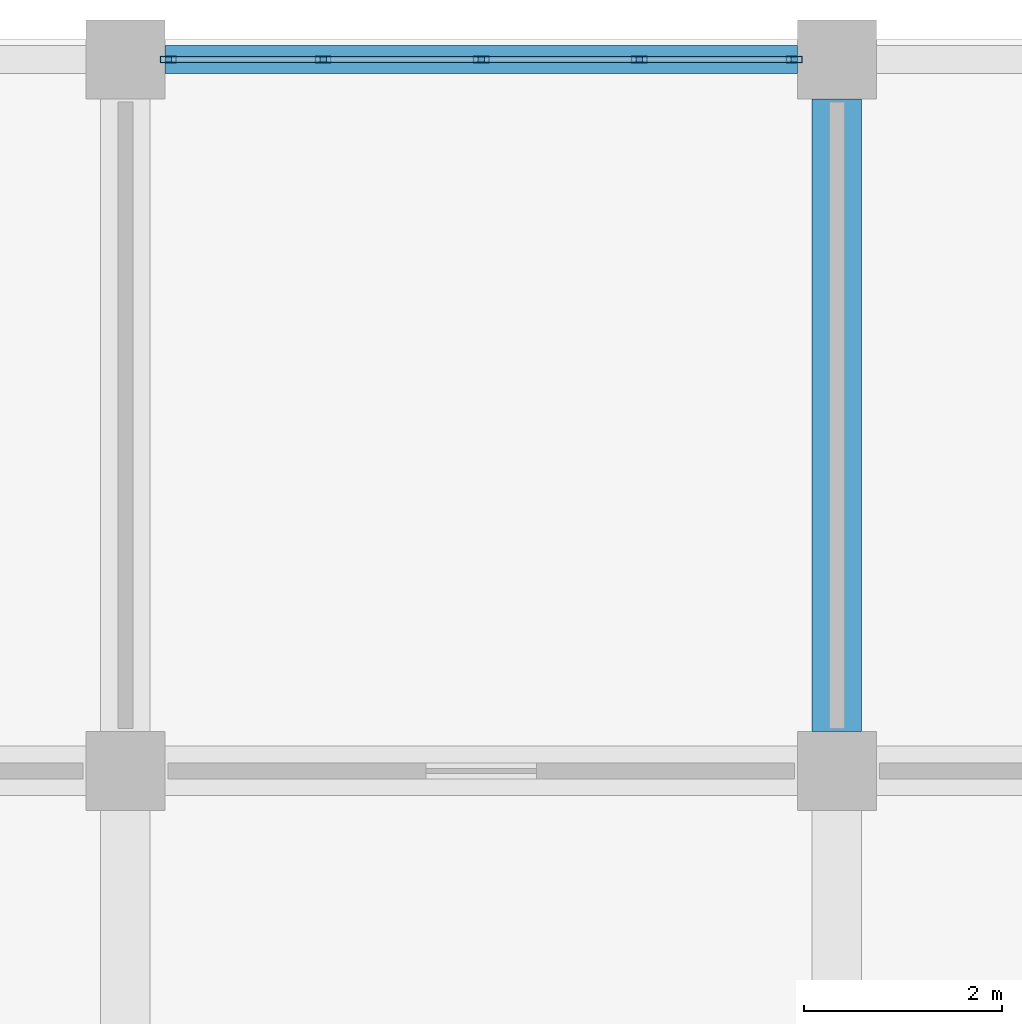
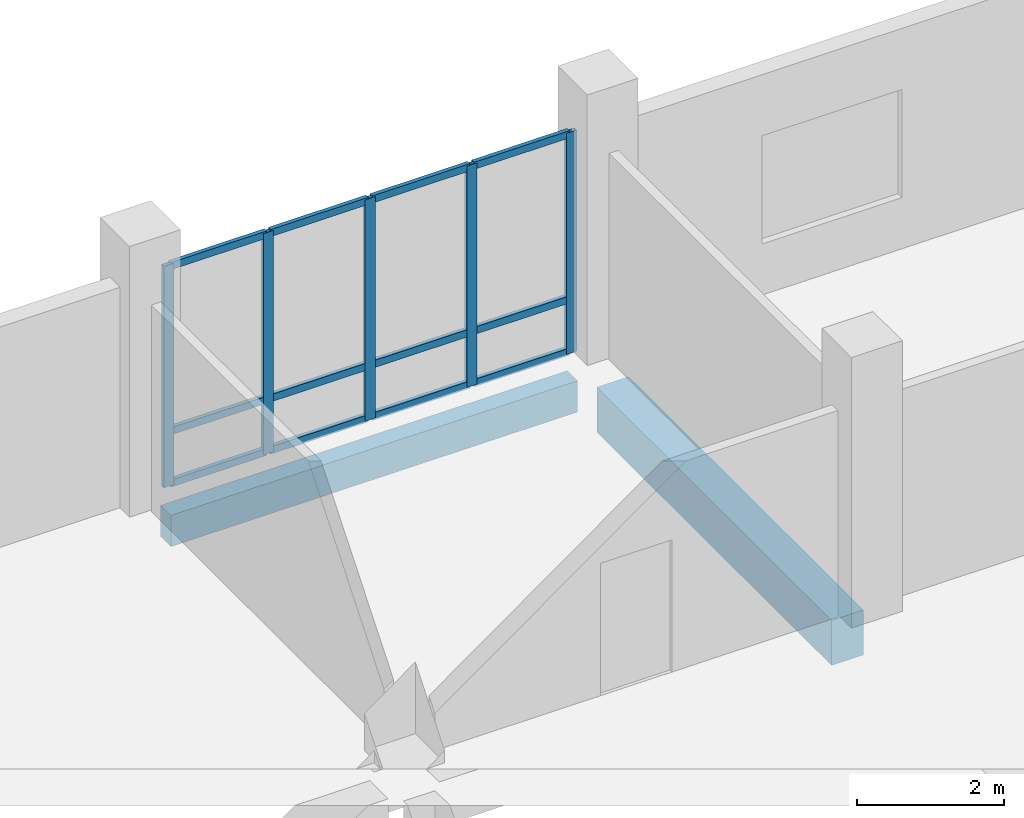
# One storey, part 64 of 139: 17 members, 2 beams, 1 element without a shape of its own.
"""IFC4 building model written with IfcOpenShell, lengths in metres."""

import ifcopenshell
import ifcopenshell.guid

model = None  # the IFC model being written
_history = None  # IfcOwnerHistory: only IFC2X3 demands one
_inside = {}  # id of a spatial element -> (the spatial element, [elements in it])
_under = {}  # id of a project, library or spatial element -> (it, [spatial elements below it])
_declared = {}  # id of a project -> (the project, [libraries it declares])
_typed = {}  # id of a type object -> (the type object, [elements of that type])
_made_of = {}  # id of a material, layer set ... -> (it, [elements and type objects made of it])


def new_model(schema):
    """Start an empty IFC model of exactly this schema.

    Asked for "IFC4X3", IfcOpenShell would pick the latest addendum, in which some entities
    have other attributes; the version numbers below select the first issue.
    IFC2X3 requires an IfcOwnerHistory on every rooted entity: one is made here for all.
    """
    global model, _history
    if schema == "IFC4X3":
        model = ifcopenshell.file(schema_version=(4, 3, 0, 0))
    else:
        model = ifcopenshell.file(schema=schema)
    _inside.clear()
    _under.clear()
    _declared.clear()
    _typed.clear()
    _made_of.clear()
    _history = None
    if model.schema == "IFC2X3":
        org = make("IfcOrganization", Name="unknown")
        user = make(
            "IfcPersonAndOrganization",
            ThePerson=make("IfcPerson", FamilyName="unknown"),
            TheOrganization=org,
        )
        app = make(
            "IfcApplication",
            ApplicationDeveloper=org,
            Version="unknown",
            ApplicationFullName="unknown",
            ApplicationIdentifier="unknown",
        )
        _history = make(
            "IfcOwnerHistory",
            OwningUser=user,
            OwningApplication=app,
            ChangeAction="ADDED",
            CreationDate=0,
        )
    return model


def make(cls, **values):
    """One entity of the class cls with the attributes given. An attribute that is None is left unset."""
    return model.create_entity(
        cls, **{name: value for name, value in values.items() if value is not None}
    )


def rooted(cls, **values):
    """An entity with a GlobalId (a new one), such as an element, a storey or a relation."""
    return make(cls, GlobalId=ifcopenshell.guid.new(), OwnerHistory=_history, **values)


def si_unit(unit_type, name, prefix=None):
    """IfcSIUnit, for example si_unit("LENGTHUNIT", "METRE", prefix="MILLI")."""
    return make("IfcSIUnit", UnitType=unit_type, Prefix=prefix, Name=name)


def assignment(units):
    """IfcUnitAssignment: the units of a project."""
    return None if units is None else make("IfcUnitAssignment", Units=units)


def point(xyz):
    """IfcCartesianPoint."""
    return None if xyz is None else make("IfcCartesianPoint", Coordinates=xyz)


def direction(xyz):
    """IfcDirection."""
    return None if xyz is None else make("IfcDirection", DirectionRatios=xyz)


def frame(location, z_axis=None, x_axis=None):
    """IfcAxis2Placement3D, a coordinate frame: its origin and axes. An axis left out is left unset."""
    return make(
        "IfcAxis2Placement3D",
        Location=point(location),
        Axis=direction(z_axis),
        RefDirection=direction(x_axis),
    )


def frame_2d(location, x_axis=None):
    """IfcAxis2Placement2D, a coordinate frame in the plane: its origin and x axis."""
    return make(
        "IfcAxis2Placement2D", Location=point(location), RefDirection=direction(x_axis)
    )


def origin():
    """The frame at (0, 0, 0) with its axes left unset."""
    return frame((0.0, 0.0, 0.0))


def origin_2d():
    """The frame at (0, 0) in the plane with its x axis left unset."""
    return frame_2d((0.0, 0.0))


def place(relative_to, where):
    """IfcLocalPlacement: puts the frame where relative to a parent placement (None: the world)."""
    return make(
        "IfcLocalPlacement", PlacementRelTo=relative_to, RelativePlacement=where
    )


def context(
    kind, dimensions, precision=None, world=None, true_north=None, identifier=None
):
    """IfcGeometricRepresentationContext, for example the 3D "Model" context."""
    return make(
        "IfcGeometricRepresentationContext",
        ContextIdentifier=identifier,
        ContextType=kind,
        CoordinateSpaceDimension=dimensions,
        Precision=precision,
        WorldCoordinateSystem=world,
        TrueNorth=true_north,
    )


def subcontext(parent, identifier, kind, view, scale=None):
    """IfcGeometricRepresentationSubContext, for example "Body" below "Model"."""
    return make(
        "IfcGeometricRepresentationSubContext",
        ContextIdentifier=identifier,
        ContextType=kind,
        ParentContext=parent,
        TargetScale=scale,
        TargetView=view,
    )


def project(units=None, contexts=None):
    """IfcProject with its units and contexts."""
    return rooted(
        "IfcProject",
        Name="project",
        RepresentationContexts=contexts,
        UnitsInContext=assignment(units),
    )


def spatial(cls, under=None, at=None, **own):
    """A site, building, storey or space (cls), placed at a placement, below another one or the project."""
    s = rooted(cls, ObjectPlacement=at, **own)
    if under is not None:
        _under.setdefault(under.id(), (under, []))[1].append(s)
    return s


def profile(cls, at=None, kind="AREA", **sizes):
    """A parametric profile (cls). Its sizes go by their IFC names, for example OverallWidth=200.0."""
    return make(cls, ProfileType=kind, Position=at, **sizes)


def rectangle(**sizes):
    """IfcRectangleProfileDef."""
    return profile("IfcRectangleProfileDef", **sizes)


def hollow_rectangle(**sizes):
    """IfcRectangleHollowProfileDef."""
    return profile("IfcRectangleHollowProfileDef", **sizes)


def extrude(swept, where, along, depth):
    """IfcExtrudedAreaSolid: the profile swept, set in the frame where, extruded along a direction by depth."""
    return make(
        "IfcExtrudedAreaSolid",
        SweptArea=swept,
        Position=where,
        ExtrudedDirection=direction(along),
        Depth=depth,
    )


def shape(context_of_items, identifier, shape_type, items):
    """IfcShapeRepresentation: the items that make up one representation, for example the "Body"."""
    return make(
        "IfcShapeRepresentation",
        ContextOfItems=context_of_items,
        RepresentationIdentifier=identifier,
        RepresentationType=shape_type,
        Items=items,
    )


def material(Name=None, Category=None):
    """IfcMaterial."""
    return make("IfcMaterial", Name=Name, Category=Category)


def material_profile(
    of_material, cross_section, Name=None, Category=None, Priority=None
):
    """IfcMaterialProfile: a cross section and its material."""
    return make(
        "IfcMaterialProfile",
        Name=Name,
        Material=of_material,
        Profile=cross_section,
        Priority=Priority,
        Category=Category,
    )


def profile_set(profiles, Name=None, composite=None):
    """IfcMaterialProfileSet."""
    return make(
        "IfcMaterialProfileSet",
        Name=Name,
        MaterialProfiles=profiles,
        CompositeProfile=composite,
    )


def made_of(thing, what):
    """Note that an element or type object is made of a material, layer set ...; save() writes the relation."""
    if what is not None:
        _made_of.setdefault(what.id(), (what, []))[1].append(thing)
    return thing


def type_object(cls, material=None, **own):
    """A type object (cls), such as IfcWallType, which elements share."""
    return made_of(rooted(cls, **own), material)


def element(
    cls,
    number,
    at=None,
    inside=None,
    cuts=None,
    type_object=None,
    material=None,
    context=None,
    identifier="Body",
    shape_type=None,
    held_by="IfcProductDefinitionShape",
    body=None,
    shapes=None,
    **own,
):
    """One element of the class cls, such as IfcWall. Its Tag is "e" and its number.

    at: its placement. inside: the storey or other place that contains it. cuts: it is an
    opening in that element (IfcRelVoidsElement). A single representation is given by context,
    identifier, shape_type and body (its items); several are given by shapes. held_by: the class
    of the entity that holds the representations. save() writes the other relations.
    """
    e = rooted(cls, Tag="e%d" % number, ObjectPlacement=at, **own)
    if body is not None:
        shapes = [shape(context, identifier, shape_type, body)]
    if shapes is not None:
        e.Representation = make(held_by, Representations=shapes)
    if inside is not None:
        _inside.setdefault(inside.id(), (inside, []))[1].append(e)
    if cuts is not None:
        rooted(
            "IfcRelVoidsElement", RelatingBuildingElement=cuts, RelatedOpeningElement=e
        )
    if type_object is not None:
        _typed.setdefault(type_object.id(), (type_object, []))[1].append(e)
    return made_of(e, material)


def aggregate(whole, parts):
    """IfcRelAggregates: a whole, such as a stair, and the parts it consists of."""
    return rooted("IfcRelAggregates", RelatingObject=whole, RelatedObjects=parts)


def save(model, path):
    """Write the relations noted so far, then the file.

    IfcRelAggregates (storeys below a building ...), IfcRelContainedInSpatialStructure (elements
    in a storey), IfcRelDefinesByType, IfcRelAssociatesMaterial and IfcRelDeclares: one each for
    every whole, place, type object, material and project.
    """
    for whole, parts in _under.values():
        aggregate(whole, parts)
    for where, things in _inside.values():
        rooted(
            "IfcRelContainedInSpatialStructure",
            RelatedElements=things,
            RelatingStructure=where,
        )
    for kind, things in _typed.values():
        rooted("IfcRelDefinesByType", RelatedObjects=things, RelatingType=kind)
    for what, things in _made_of.values():
        rooted("IfcRelAssociatesMaterial", RelatedObjects=things, RelatingMaterial=what)
    for by, libraries in _declared.values():
        rooted("IfcRelDeclares", RelatingContext=by, RelatedDefinitions=libraries)
    model.write(path)


model = new_model("IFC4")

# Units and contexts
model_context = context("Model", 3, precision=1e-05, world=origin(), true_north=direction((0.0, 1.0)))
body_context = subcontext(model_context, "Body", "Model", "MODEL_VIEW")
ifc_project = project(units=[si_unit("LENGTHUNIT", "METRE"), si_unit("AREAUNIT", "SQUARE_METRE"), si_unit("VOLUMEUNIT", "CUBIC_METRE"), si_unit("PLANEANGLEUNIT", "RADIAN"), si_unit("MASSUNIT", "GRAM", prefix="KILO")], contexts=[model_context])

# Site, building, storey
site_placement = place(None, origin())
site = spatial("IfcSite", under=ifc_project, at=site_placement, CompositionType="ELEMENT")
building_placement = place(site_placement, origin())
building = spatial("IfcBuilding", under=site, at=building_placement, Name="Suanplinth Sawtooth Commons", CompositionType="ELEMENT")
storey_placement = place(building_placement, origin())
storey = spatial("IfcBuildingStorey", under=building, at=storey_placement, Name="L00", CompositionType="ELEMENT", Elevation=0.0)

# Beams
ifc_material_1 = material(Name="Concrete C40/50", Category="concrete")
ifc_material_profile_1 = material_profile(ifc_material_1, rectangle(XDim=0.5, YDim=0.75, at=origin_2d()), Name="RC-GDR 500x750")
ifc_profile_set_1 = profile_set([ifc_material_profile_1], Name="Concrete C40/50")
beam_type_1 = type_object("IfcBeamType", Name="B-03", PredefinedType="USERDEFINED", material=ifc_profile_set_1)
beam_1_placement = place(storey_placement, frame((108.0, 115.60009765625, -0.784912109375), z_axis=(0.0, 1.0, 0.0), x_axis=(-1.0, 0.0, 0.0)))
element("IfcBeam", 1, at=beam_1_placement, inside=storey, type_object=beam_type_1, Name="BMY-L00-A-15-16", ObjectType="GIRDER", PredefinedType="USERDEFINED", context=body_context, shape_type="SweptSolid", body=[
    extrude(rectangle(XDim=0.5, YDim=0.75, at=origin_2d()), origin(), (0.0, 0.0, 1.0), 6.39990234375),
])
ifc_material_2 = material(Name="Precast concrete C40/50", Category="concrete")
ifc_material_profile_2 = material_profile(ifc_material_2, rectangle(XDim=0.280029296875, YDim=0.52001953125, at=origin_2d()), Name="PC-SP 280x520")
ifc_profile_set_2 = profile_set([ifc_material_profile_2], Name="Precast concrete C40/50")
beam_type_2 = type_object("IfcBeamType", Name="B-08", PredefinedType="SPANDREL", material=ifc_profile_set_2)
beam_2_placement = place(storey_placement, frame((101.199951171875, 122.39990234375, -0.669921875), z_axis=(1.0, 0.0, 0.0), x_axis=(0.0, 1.0, 0.0)))
element("IfcBeam", 2, at=beam_2_placement, inside=storey, type_object=beam_type_2, Name="BMX-L00-A-14-17", PredefinedType="SPANDREL", context=body_context, shape_type="SweptSolid", body=[
    extrude(rectangle(XDim=0.280029296875, YDim=0.52001953125, at=origin_2d()), origin(), (0.0, 0.0, 1.0), 6.400146484375),
])

# Curtain wall, members
ifc_material_3 = material(Name="Anodized aluminium and low-E glazing", Category="aluminium")
curtain_wall_type = type_object("IfcCurtainWallType", Name="CW-04", PredefinedType="USERDEFINED", material=ifc_material_3)
curtain_wall_placement = place(storey_placement, origin())
curtain_wall = element("IfcCurtainWall", 3, at=curtain_wall_placement, inside=storey, type_object=curtain_wall_type, Name="Curtain Wall CW-L00-A-N-14", ObjectType="CURTAIN WALL", PredefinedType="USERDEFINED")
ifc_material_4 = material(Name="Anodized aluminium 6063-T6", Category="aluminium")
ifc_material_profile_3 = material_profile(ifc_material_4, hollow_rectangle(XDim=0.06494140625, YDim=0.159912109375, WallThickness=0.00390625, at=origin_2d()), Name="ALU-MUL 65x160")
ifc_profile_set_3 = profile_set([ifc_material_profile_3], Name="Anodized aluminium 6063-T6")
member_type_1 = type_object("IfcMemberType", Name="M-13", PredefinedType="MULLION", material=ifc_profile_set_3)
member_1_placement = place(storey_placement, frame((101.232421875, 122.39990234375, 0.0), z_axis=(0.0, 0.0, 1.0), x_axis=(0.0, 1.0, 0.0)))
member_1 = element("IfcMember", 4, at=member_1_placement, type_object=member_type_1, Name="CW-04 mullion 1", PredefinedType="MULLION", context=body_context, shape_type="SweptSolid", body=[
    extrude(hollow_rectangle(XDim=0.06494140625, YDim=0.159912109375, WallThickness=0.00390625, at=origin_2d()), origin(), (0.0, 0.0, 1.0), 3.679931640625),
])
member_2_placement = place(storey_placement, frame((102.800048828125, 122.39990234375, 0.0), z_axis=(0.0, 0.0, 1.0), x_axis=(0.0, 1.0, 0.0)))
member_2 = element("IfcMember", 5, at=member_2_placement, type_object=member_type_1, Name="CW-04 mullion 2", PredefinedType="MULLION", context=body_context, shape_type="SweptSolid", body=[
    extrude(hollow_rectangle(XDim=0.06494140625, YDim=0.159912109375, WallThickness=0.00390625, at=origin_2d()), origin(), (0.0, 0.0, 1.0), 3.679931640625),
])
member_3_placement = place(storey_placement, frame((104.39990234375, 122.39990234375, 0.0), z_axis=(0.0, 0.0, 1.0), x_axis=(0.0, 1.0, 0.0)))
member_3 = element("IfcMember", 6, at=member_3_placement, type_object=member_type_1, Name="CW-04 mullion 3", PredefinedType="MULLION", context=body_context, shape_type="SweptSolid", body=[
    extrude(hollow_rectangle(XDim=0.06494140625, YDim=0.159912109375, WallThickness=0.00390625, at=origin_2d()), origin(), (0.0, 0.0, 1.0), 3.679931640625),
])
member_4_placement = place(storey_placement, frame((106.0, 122.39990234375, 0.0), z_axis=(0.0, 0.0, 1.0), x_axis=(0.0, 1.0, 0.0)))
member_4 = element("IfcMember", 7, at=member_4_placement, type_object=member_type_1, Name="CW-04 mullion 4", PredefinedType="MULLION", context=body_context, shape_type="SweptSolid", body=[
    extrude(hollow_rectangle(XDim=0.06494140625, YDim=0.159912109375, WallThickness=0.00390625, at=origin_2d()), origin(), (0.0, 0.0, 1.0), 3.679931640625),
])
member_5_placement = place(storey_placement, frame((107.5673828125, 122.39990234375, 0.0), z_axis=(0.0, 0.0, 1.0), x_axis=(0.0, 1.0, 0.0)))
member_5 = element("IfcMember", 8, at=member_5_placement, type_object=member_type_1, Name="CW-04 mullion 5", PredefinedType="MULLION", context=body_context, shape_type="SweptSolid", body=[
    extrude(hollow_rectangle(XDim=0.06494140625, YDim=0.159912109375, WallThickness=0.00390625, at=origin_2d()), origin(), (0.0, 0.0, 1.0), 3.679931640625),
])
ifc_material_profile_4 = material_profile(ifc_material_4, hollow_rectangle(XDim=0.06494140625, YDim=0.1201171875, WallThickness=0.00390625, at=origin_2d()), Name="ALU-TRN 65x120")
ifc_profile_set_4 = profile_set([ifc_material_profile_4], Name="Anodized aluminium 6063-T6")
member_type_2 = type_object("IfcMemberType", Name="M-15", PredefinedType="USERDEFINED", material=ifc_profile_set_4)
member_6_placement = place(storey_placement, frame((101.264892578125, 122.39990234375, 0.032470703125), z_axis=(1.0, 0.0, 0.0), x_axis=(0.0, 1.0, 0.0)))
member_6 = element("IfcMember", 9, at=member_6_placement, type_object=member_type_2, Name="CW-04 transom 1.1", ObjectType="TRANSOM", PredefinedType="USERDEFINED", context=body_context, shape_type="SweptSolid", body=[
    extrude(hollow_rectangle(XDim=0.06494140625, YDim=0.1201171875, WallThickness=0.00390625, at=origin_2d()), origin(), (0.0, 0.0, 1.0), 1.502685546875),
])
member_7_placement = place(storey_placement, frame((101.264892578125, 122.39990234375, 0.89990234375), z_axis=(1.0, 0.0, 0.0), x_axis=(0.0, 1.0, 0.0)))
member_7 = element("IfcMember", 10, at=member_7_placement, type_object=member_type_2, Name="CW-04 transom 1.2", ObjectType="TRANSOM", PredefinedType="USERDEFINED", context=body_context, shape_type="SweptSolid", body=[
    extrude(hollow_rectangle(XDim=0.06494140625, YDim=0.1201171875, WallThickness=0.00390625, at=origin_2d()), origin(), (0.0, 0.0, 1.0), 1.502685546875),
])
member_8_placement = place(storey_placement, frame((101.264892578125, 122.39990234375, 3.6474609375), z_axis=(1.0, 0.0, 0.0), x_axis=(0.0, 1.0, 0.0)))
member_8 = element("IfcMember", 11, at=member_8_placement, type_object=member_type_2, Name="CW-04 transom 1.3", ObjectType="TRANSOM", PredefinedType="USERDEFINED", context=body_context, shape_type="SweptSolid", body=[
    extrude(hollow_rectangle(XDim=0.06494140625, YDim=0.1201171875, WallThickness=0.00390625, at=origin_2d()), origin(), (0.0, 0.0, 1.0), 1.502685546875),
])
member_9_placement = place(storey_placement, frame((102.83251953125, 122.39990234375, 0.032470703125), z_axis=(1.0, 0.0, 0.0), x_axis=(0.0, 1.0, 0.0)))
member_9 = element("IfcMember", 12, at=member_9_placement, type_object=member_type_2, Name="CW-04 transom 2.1", ObjectType="TRANSOM", PredefinedType="USERDEFINED", context=body_context, shape_type="SweptSolid", body=[
    extrude(hollow_rectangle(XDim=0.06494140625, YDim=0.1201171875, WallThickness=0.00390625, at=origin_2d()), origin(), (0.0, 0.0, 1.0), 1.534912109375),
])
member_10_placement = place(storey_placement, frame((102.83251953125, 122.39990234375, 0.89990234375), z_axis=(1.0, 0.0, 0.0), x_axis=(0.0, 1.0, 0.0)))
member_10 = element("IfcMember", 13, at=member_10_placement, type_object=member_type_2, Name="CW-04 transom 2.2", ObjectType="TRANSOM", PredefinedType="USERDEFINED", context=body_context, shape_type="SweptSolid", body=[
    extrude(hollow_rectangle(XDim=0.06494140625, YDim=0.1201171875, WallThickness=0.00390625, at=origin_2d()), origin(), (0.0, 0.0, 1.0), 1.534912109375),
])
member_11_placement = place(storey_placement, frame((102.83251953125, 122.39990234375, 3.6474609375), z_axis=(1.0, 0.0, 0.0), x_axis=(0.0, 1.0, 0.0)))
member_11 = element("IfcMember", 14, at=member_11_placement, type_object=member_type_2, Name="CW-04 transom 2.3", ObjectType="TRANSOM", PredefinedType="USERDEFINED", context=body_context, shape_type="SweptSolid", body=[
    extrude(hollow_rectangle(XDim=0.06494140625, YDim=0.1201171875, WallThickness=0.00390625, at=origin_2d()), origin(), (0.0, 0.0, 1.0), 1.534912109375),
])
member_12_placement = place(storey_placement, frame((104.4326171875, 122.39990234375, 0.032470703125), z_axis=(1.0, 0.0, 0.0), x_axis=(0.0, 1.0, 0.0)))
member_12 = element("IfcMember", 15, at=member_12_placement, type_object=member_type_2, Name="CW-04 transom 3.1", ObjectType="TRANSOM", PredefinedType="USERDEFINED", context=body_context, shape_type="SweptSolid", body=[
    extrude(hollow_rectangle(XDim=0.06494140625, YDim=0.1201171875, WallThickness=0.00390625, at=origin_2d()), origin(), (0.0, 0.0, 1.0), 1.534912109375),
])
member_13_placement = place(storey_placement, frame((104.4326171875, 122.39990234375, 0.89990234375), z_axis=(1.0, 0.0, 0.0), x_axis=(0.0, 1.0, 0.0)))
member_13 = element("IfcMember", 16, at=member_13_placement, type_object=member_type_2, Name="CW-04 transom 3.2", ObjectType="TRANSOM", PredefinedType="USERDEFINED", context=body_context, shape_type="SweptSolid", body=[
    extrude(hollow_rectangle(XDim=0.06494140625, YDim=0.1201171875, WallThickness=0.00390625, at=origin_2d()), origin(), (0.0, 0.0, 1.0), 1.534912109375),
])
member_14_placement = place(storey_placement, frame((104.4326171875, 122.39990234375, 3.6474609375), z_axis=(1.0, 0.0, 0.0), x_axis=(0.0, 1.0, 0.0)))
member_14 = element("IfcMember", 17, at=member_14_placement, type_object=member_type_2, Name="CW-04 transom 3.3", ObjectType="TRANSOM", PredefinedType="USERDEFINED", context=body_context, shape_type="SweptSolid", body=[
    extrude(hollow_rectangle(XDim=0.06494140625, YDim=0.1201171875, WallThickness=0.00390625, at=origin_2d()), origin(), (0.0, 0.0, 1.0), 1.534912109375),
])
member_15_placement = place(storey_placement, frame((106.032470703125, 122.39990234375, 0.032470703125), z_axis=(1.0, 0.0, 0.0), x_axis=(0.0, 1.0, 0.0)))
member_15 = element("IfcMember", 18, at=member_15_placement, type_object=member_type_2, Name="CW-04 transom 4.1", ObjectType="TRANSOM", PredefinedType="USERDEFINED", context=body_context, shape_type="SweptSolid", body=[
    extrude(hollow_rectangle(XDim=0.06494140625, YDim=0.1201171875, WallThickness=0.00390625, at=origin_2d()), origin(), (0.0, 0.0, 1.0), 1.50244140625),
])
member_16_placement = place(storey_placement, frame((106.032470703125, 122.39990234375, 0.89990234375), z_axis=(1.0, 0.0, 0.0), x_axis=(0.0, 1.0, 0.0)))
member_16 = element("IfcMember", 19, at=member_16_placement, type_object=member_type_2, Name="CW-04 transom 4.2", ObjectType="TRANSOM", PredefinedType="USERDEFINED", context=body_context, shape_type="SweptSolid", body=[
    extrude(hollow_rectangle(XDim=0.06494140625, YDim=0.1201171875, WallThickness=0.00390625, at=origin_2d()), origin(), (0.0, 0.0, 1.0), 1.50244140625),
])
member_17_placement = place(storey_placement, frame((106.032470703125, 122.39990234375, 3.6474609375), z_axis=(1.0, 0.0, 0.0), x_axis=(0.0, 1.0, 0.0)))
member_17 = element("IfcMember", 20, at=member_17_placement, type_object=member_type_2, Name="CW-04 transom 4.3", ObjectType="TRANSOM", PredefinedType="USERDEFINED", context=body_context, shape_type="SweptSolid", body=[
    extrude(hollow_rectangle(XDim=0.06494140625, YDim=0.1201171875, WallThickness=0.00390625, at=origin_2d()), origin(), (0.0, 0.0, 1.0), 1.50244140625),
])
aggregate(curtain_wall, [member_1, member_2, member_3, member_4, member_5, member_6, member_7, member_8, member_9, member_10, member_11, member_12, member_13, member_14, member_15, member_16, member_17])

save(model, "model.ifc")
